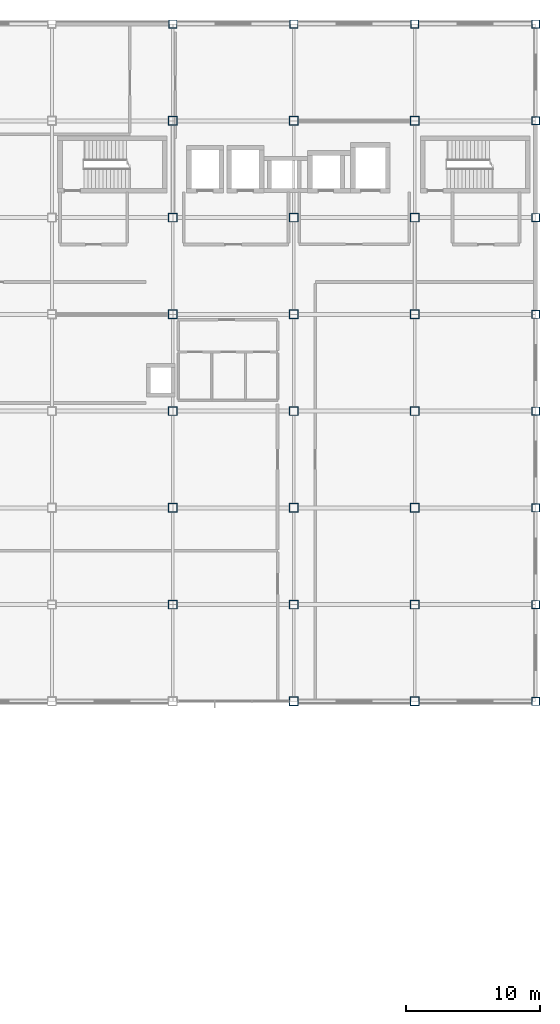
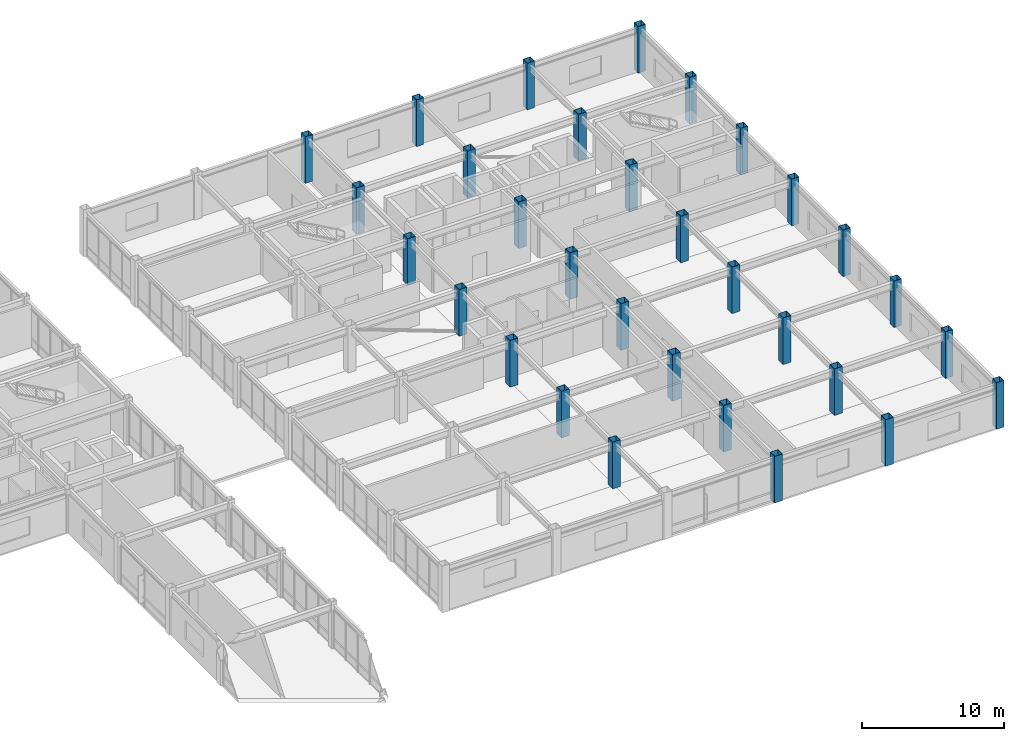
# One storey, part 10 of 113: 31 columns.
"""IFC4 building model written with IfcOpenShell, lengths in metres."""

from ifc_helpers import new_model, si_unit, direction, frame, origin, origin_2d, place, context, subcontext, project, spatial, hollow_rectangle, extrude, material, material_profile, profile_set, type_object, element, save


model = new_model("IFC4")

# Units and contexts
model_context = context("Model", 3, precision=1e-05, world=origin(), true_north=direction((0.0, 1.0)))
body_context = subcontext(model_context, "Body", "Model", "MODEL_VIEW")
ifc_project = project(units=[si_unit("LENGTHUNIT", "METRE"), si_unit("AREAUNIT", "SQUARE_METRE"), si_unit("VOLUMEUNIT", "CUBIC_METRE"), si_unit("PLANEANGLEUNIT", "RADIAN"), si_unit("MASSUNIT", "GRAM", prefix="KILO")], contexts=[model_context])

# Site, building, storey
site_placement = place(None, origin())
site = spatial("IfcSite", under=ifc_project, at=site_placement, CompositionType="ELEMENT")
building_placement = place(site_placement, origin())
building = spatial("IfcBuilding", under=site, at=building_placement, Name="Kazanami Central Library", CompositionType="ELEMENT")
storey_placement = place(building_placement, frame((0.0, 0.0, 8.800048828125)))
storey = spatial("IfcBuildingStorey", under=building, at=storey_placement, Name="L03", CompositionType="ELEMENT", Elevation=8.800048828125)

# Columns
ifc_material = material(Name="Steel BCP325 (325 MPa)", Category="steel")
ifc_material_profile_1 = material_profile(ifc_material, hollow_rectangle(XDim=0.64990234375, YDim=0.64990234375, WallThickness=0.02490234375, at=origin_2d()), Name="BCP-650x650x25")
ifc_profile_set_1 = profile_set([ifc_material_profile_1], Name="Steel BCP325 (325 MPa)")
column_type_1 = type_object("IfcColumnType", Name="COL-C-T2I", PredefinedType="COLUMN", material=ifc_profile_set_1)
for number, where, z_axis, x_axis, name in (
    (1, (135.0, 50.39990234375, 0.0), (0.0, 0.0, 1.0), (1.0, 0.0, 0.0), "Column C-T2I L03 16/H"),
    (2, (135.0, 57.60009765625, 0.0), (0.0, 0.0, 1.0), (1.0, 0.0, 0.0), "Column C-T2I L03 16/J"),
    (3, (135.0, 64.800048828125, 0.0), (0.0, 0.0, 1.0), (1.0, 0.0, 0.0), "Column C-T2I L03 16/K"),
    (4, (135.0, 72.0, 0.0), (0.0, 0.0, 1.0), (1.0, 0.0, 0.0), "Column C-T2I L03 16/L"),
    (5, (135.0, 79.199951171875, 0.0), (0.0, 0.0, 1.0), (1.0, 0.0, 0.0), "Column C-T2I L03 16/M"),
    (6, (135.0, 86.39990234375, 0.0), (0.0, 0.0, 1.0), (1.0, 0.0, 0.0), "Column C-T2I L03 16/N"),
    (7, (144.0, 43.199951171875, 0.0), (0.0, 0.0, 1.0), (1.0, 0.0, 0.0), "Column C-T2I L03 17/G"),
    (8, (144.0, 50.39990234375, 0.0), (0.0, 0.0, 1.0), (1.0, 0.0, 0.0), "Column C-T2I L03 17/H"),
    (9, (144.0, 57.60009765625, 0.0), (0.0, 0.0, 1.0), (1.0, 0.0, 0.0), "Column C-T2I L03 17/J"),
    (10, (144.0, 64.800048828125, 0.0), (0.0, 0.0, 1.0), (1.0, 0.0, 0.0), "Column C-T2I L03 17/K"),
    (11, (144.0, 72.0, 0.0), (0.0, 0.0, 1.0), (1.0, 0.0, 0.0), "Column C-T2I L03 17/L"),
    (12, (144.0, 79.199951171875, 0.0), (0.0, 0.0, 1.0), (1.0, 0.0, 0.0), "Column C-T2I L03 17/M"),
    (13, (144.0, 86.39990234375, 0.0), (0.0, 0.0, 1.0), (1.0, 0.0, 0.0), "Column C-T2I L03 17/N"),
    (14, (153.0, 43.199951171875, 0.0), (0.0, 0.0, 1.0), (1.0, 0.0, 0.0), "Column C-T2I L03 18/G"),
    (15, (153.0, 50.39990234375, 0.0), (0.0, 0.0, 1.0), (1.0, 0.0, 0.0), "Column C-T2I L03 18/H"),
    (16, (153.0, 57.60009765625, 0.0), (0.0, 0.0, 1.0), (1.0, 0.0, 0.0), "Column C-T2I L03 18/J"),
    (17, (153.0, 64.800048828125, 0.0), (0.0, 0.0, 1.0), (1.0, 0.0, 0.0), "Column C-T2I L03 18/K"),
    (18, (153.0, 72.0, 0.0), (0.0, 0.0, 1.0), (1.0, 0.0, 0.0), "Column C-T2I L03 18/L"),
    (19, (153.0, 79.199951171875, 0.0), (0.0, 0.0, 1.0), (1.0, 0.0, 0.0), "Column C-T2I L03 18/M"),
    (20, (153.0, 86.39990234375, 0.0), (0.0, 0.0, 1.0), (1.0, 0.0, 0.0), "Column C-T2I L03 18/N"),
):
    element("IfcColumn", number, at=place(storey_placement, frame(where, z_axis=z_axis, x_axis=x_axis)), inside=storey, type_object=column_type_1, Name=name, PredefinedType="COLUMN", context=body_context, shape_type="SweptSolid", body=[
        extrude(hollow_rectangle(XDim=0.64990234375, YDim=0.64990234375, WallThickness=0.02490234375, at=origin_2d()), origin(), (0.0, 0.0, 1.0), 4.0),
    ])
ifc_material_profile_2 = material_profile(ifc_material, hollow_rectangle(XDim=0.60009765625, YDim=0.60009765625, WallThickness=0.02490234375, at=origin_2d()), Name="BCP-600x600x25")
ifc_profile_set_2 = profile_set([ifc_material_profile_2], Name="Steel BCP325 (325 MPa)")
column_type_2 = type_object("IfcColumnType", Name="COL-C-T2P", PredefinedType="COLUMN", material=ifc_profile_set_2)
for number, where, z_axis, x_axis, name in (
    (21, (135.0, 93.60009765625, 0.0), (0.0, 0.0, 1.0), (1.0, 0.0, 0.0), "Column C-T2P L03 16/O"),
    (22, (144.0, 93.60009765625, 0.0), (0.0, 0.0, 1.0), (1.0, 0.0, 0.0), "Column C-T2P L03 17/O"),
    (23, (153.0, 93.60009765625, 0.0), (0.0, 0.0, 1.0), (1.0, 0.0, 0.0), "Column C-T2P L03 18/O"),
    (24, (162.0, 43.199951171875, 0.0), (0.0, 0.0, 1.0), (1.0, 0.0, 0.0), "Column C-T2P L03 19/G"),
    (25, (162.0, 50.39990234375, 0.0), (0.0, 0.0, 1.0), (1.0, 0.0, 0.0), "Column C-T2P L03 19/H"),
    (26, (162.0, 57.60009765625, 0.0), (0.0, 0.0, 1.0), (1.0, 0.0, 0.0), "Column C-T2P L03 19/J"),
    (27, (162.0, 64.800048828125, 0.0), (0.0, 0.0, 1.0), (1.0, 0.0, 0.0), "Column C-T2P L03 19/K"),
    (28, (162.0, 72.0, 0.0), (0.0, 0.0, 1.0), (1.0, 0.0, 0.0), "Column C-T2P L03 19/L"),
    (29, (162.0, 79.199951171875, 0.0), (0.0, 0.0, 1.0), (1.0, 0.0, 0.0), "Column C-T2P L03 19/M"),
    (30, (162.0, 86.39990234375, 0.0), (0.0, 0.0, 1.0), (1.0, 0.0, 0.0), "Column C-T2P L03 19/N"),
    (31, (162.0, 93.60009765625, 0.0), (0.0, 0.0, 1.0), (1.0, 0.0, 0.0), "Column C-T2P L03 19/O"),
):
    element("IfcColumn", number, at=place(storey_placement, frame(where, z_axis=z_axis, x_axis=x_axis)), inside=storey, type_object=column_type_2, Name=name, PredefinedType="COLUMN", context=body_context, shape_type="SweptSolid", body=[
        extrude(hollow_rectangle(XDim=0.60009765625, YDim=0.60009765625, WallThickness=0.02490234375, at=origin_2d()), origin(), (0.0, 0.0, 1.0), 4.0),
    ])

save(model, "model.ifc")
